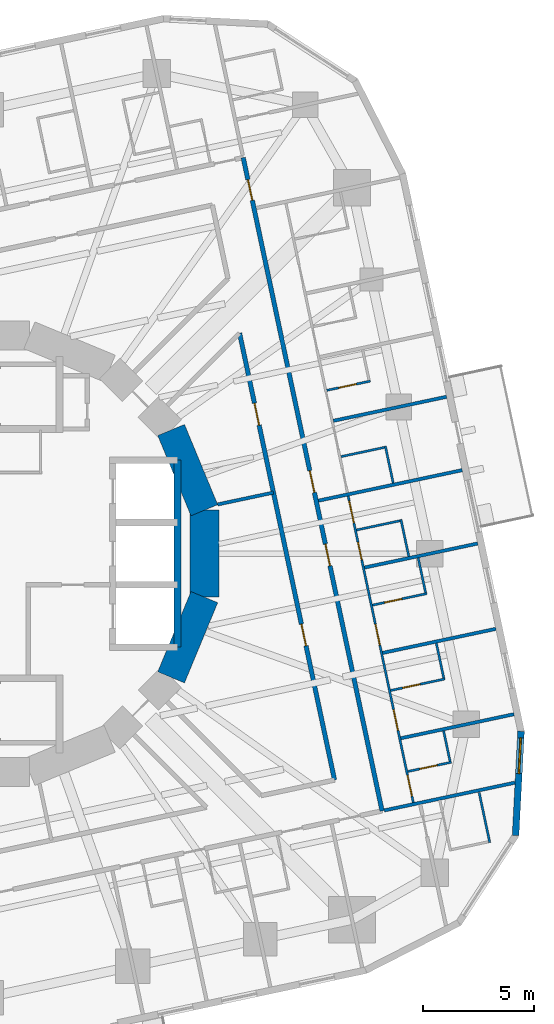
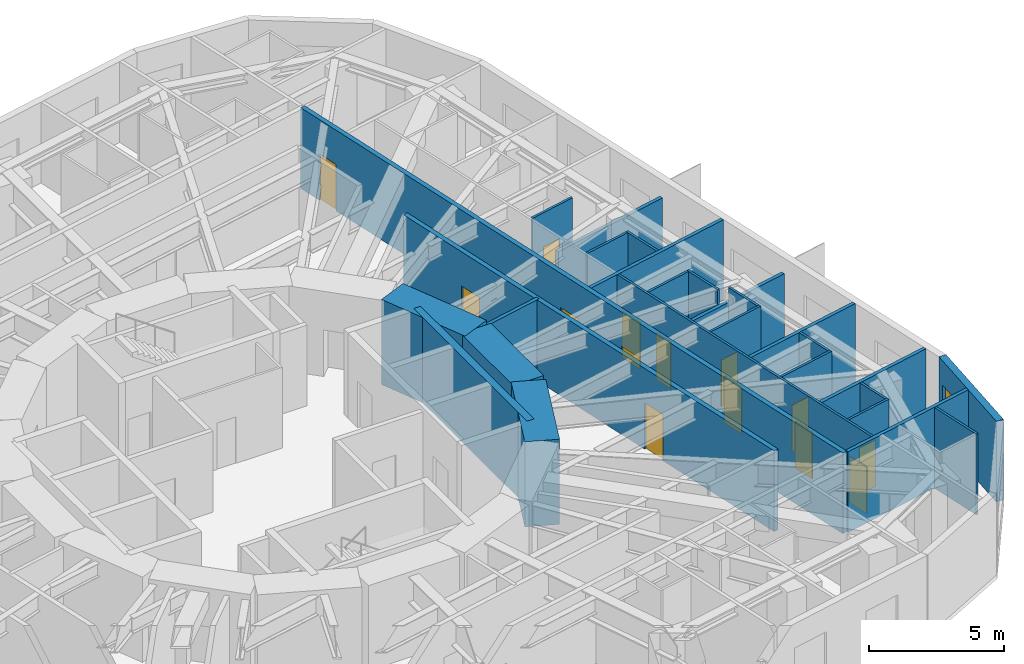
# One storey, part 8 of 13: 27 walls, 14 doors, 1 window, 15 openings.
"""IFC4 building model written with IfcOpenShell, lengths in metres."""

from ifc_helpers import new_model, si_unit, direction, frame, frame_2d, origin, place, context, subcontext, project, spatial, rectangle, extrude, material, layer, layer_set, type_object, element, fill, save


model = new_model("IFC4")

# Units and contexts
model_context = context("Model", 3, precision=1e-05, world=origin(), true_north=direction((0.0, 1.0)))
body_context = subcontext(model_context, "Body", "Model", "MODEL_VIEW")
ifc_project = project(units=[si_unit("LENGTHUNIT", "METRE"), si_unit("AREAUNIT", "SQUARE_METRE"), si_unit("VOLUMEUNIT", "CUBIC_METRE"), si_unit("PLANEANGLEUNIT", "RADIAN"), si_unit("MASSUNIT", "GRAM", prefix="KILO")], contexts=[model_context])

# Site, building, storey
site_placement = place(None, origin())
site = spatial("IfcSite", under=ifc_project, at=site_placement, CompositionType="ELEMENT")
building_placement = place(site_placement, origin())
building = spatial("IfcBuilding", under=site, at=building_placement, Name="Nakasero Lantern House", CompositionType="ELEMENT")
storey_placement = place(building_placement, frame((0.0, 0.0, 131.949951171875)))
storey = spatial("IfcBuildingStorey", under=building, at=storey_placement, Name="L32", CompositionType="ELEMENT", Elevation=131.949951171875)

# Wall, openings, doors
ifc_material_1 = material(Name="Blockwork", Category="masonry")
ifc_layer_1 = layer(ifc_material_1, 0.10009765625)
ifc_layer_set_1 = layer_set([ifc_layer_1], Name="Cluster hall wall 100")
wall_type_1 = type_object("IfcWallType", Name="Cluster hall wall 100", PredefinedType="PARTITIONING", material=ifc_layer_set_1)
wall_1_placement = place(storey_placement, frame((19.193603515625, -11.1787109375, 0.0), z_axis=(0.0, 0.0, 1.0), x_axis=(-0.207904606415, 0.978149106543, 0.0)))
wall_1 = element("IfcWall", 1, at=wall_1_placement, inside=storey, type_object=wall_type_1, Name="Cluster hall wall L32 HW0-0", PredefinedType="PARTITIONING", context=body_context, shape_type="SweptSolid", body=[
    extrude(rectangle(XDim=14.073974609375, YDim=0.10009765625, at=frame_2d((7.037109375, 0.0))), origin(), (0.0, 0.0, 1.0), 3.650146484375),
])
opening_1_placement = place(wall_1_placement, frame((12.848876953125, 0.0, 0.0)))
opening_1 = element("IfcOpeningElement", 2, at=opening_1_placement, cuts=wall_1, Name="Opening D03", PredefinedType="OPENING", context=body_context, shape_type="SweptSolid", body=[
    extrude(rectangle(XDim=1.0, YDim=2.10009765625, at=frame_2d((0.5, 1.050048828125))), frame((0.0, 0.070068359375, 0.0), z_axis=(0.0, -1.0, 0.0), x_axis=(1.0, 0.0, 0.0)), (0.0, 0.0, 1.0), 0.14013671875),
])
opening_2_placement = place(wall_1_placement, frame((11.155029296875, 0.0, 0.0)))
opening_2 = element("IfcOpeningElement", 3, at=opening_2_placement, cuts=wall_1, Name="Opening D02", PredefinedType="OPENING", context=body_context, shape_type="SweptSolid", body=[
    extrude(rectangle(XDim=0.800048828125, YDim=2.10009765625, at=frame_2d((0.39990234375, 1.050048828125))), frame((0.0, 0.070068359375, 0.0), z_axis=(0.0, -1.0, 0.0), x_axis=(1.0, 0.0, 0.0)), (0.0, 0.0, 1.0), 0.14013671875),
])
opening_3_placement = place(wall_1_placement, frame((0.300048828125, 0.0, 0.0)))
opening_3 = element("IfcOpeningElement", 4, at=opening_3_placement, cuts=wall_1, Name="Opening D01", PredefinedType="OPENING", context=body_context, shape_type="SweptSolid", body=[
    extrude(rectangle(XDim=0.949951171875, YDim=2.10009765625, at=frame_2d((0.47509765625, 1.050048828125))), frame((0.0, 0.070068359375, 0.0), z_axis=(0.0, -1.0, 0.0), x_axis=(1.0, 0.0, 0.0)), (0.0, 0.0, 1.0), 0.14013671875),
])
opening_4_placement = place(wall_1_placement, frame((3.316162109375, 0.0, 0.0)))
opening_4 = element("IfcOpeningElement", 5, at=opening_4_placement, cuts=wall_1, Name="Opening D01", PredefinedType="OPENING", context=body_context, shape_type="SweptSolid", body=[
    extrude(rectangle(XDim=0.949951171875, YDim=2.10009765625, at=frame_2d((0.47509765625, 1.050048828125))), frame((0.0, 0.070068359375, 0.0), z_axis=(0.0, -1.0, 0.0), x_axis=(1.0, 0.0, 0.0)), (0.0, 0.0, 1.0), 0.14013671875),
])
opening_5_placement = place(wall_1_placement, frame((7.235595703125, 0.0, 0.0)))
opening_5 = element("IfcOpeningElement", 6, at=opening_5_placement, cuts=wall_1, Name="Opening D01", PredefinedType="OPENING", context=body_context, shape_type="SweptSolid", body=[
    extrude(rectangle(XDim=0.949951171875, YDim=2.10009765625, at=frame_2d((0.47509765625, 1.050048828125))), frame((0.0, 0.070068359375, 0.0), z_axis=(0.0, -1.0, 0.0), x_axis=(1.0, 0.0, 0.0)), (0.0, 0.0, 1.0), 0.14013671875),
])
ifc_material_2 = material(Name="Timber C24", Category="wood")
door_type_1 = type_object("IfcDoorType", Name="Bedroom door FD30S 950", OperationType="SINGLE_SWING_LEFT", PredefinedType="DOOR", material=ifc_material_2)
door_1_placement = place(opening_3_placement, origin())
door_1 = element("IfcDoor", 7, at=door_1_placement, inside=storey, type_object=door_type_1, Name="Door L32 D0-00", OperationType="SINGLE_SWING_LEFT", OverallHeight=2.10009765625, OverallWidth=0.949951171875, PredefinedType="DOOR", context=body_context, shape_type="SweptSolid", body=[
    extrude(rectangle(XDim=0.949951171875, YDim=2.10009765625, at=frame_2d((0.47509765625, 1.050048828125))), frame((0.0, 0.02490234375, 0.0), z_axis=(0.0, -1.0, 0.0), x_axis=(1.0, 0.0, 0.0)), (0.0, 0.0, 1.0), 0.050048828125),
])
fill(opening_3, door_1)
door_2_placement = place(opening_4_placement, origin())
door_2 = element("IfcDoor", 8, at=door_2_placement, inside=storey, type_object=door_type_1, Name="Door L32 D0-01", OperationType="SINGLE_SWING_LEFT", OverallHeight=2.10009765625, OverallWidth=0.949951171875, PredefinedType="DOOR", context=body_context, shape_type="SweptSolid", body=[
    extrude(rectangle(XDim=0.949951171875, YDim=2.10009765625, at=frame_2d((0.47509765625, 1.050048828125))), frame((0.0, 0.02490234375, 0.0), z_axis=(0.0, -1.0, 0.0), x_axis=(1.0, 0.0, 0.0)), (0.0, 0.0, 1.0), 0.050048828125),
])
fill(opening_4, door_2)
door_3_placement = place(opening_5_placement, origin())
door_3 = element("IfcDoor", 9, at=door_3_placement, inside=storey, type_object=door_type_1, Name="Door L32 D0-02", OperationType="SINGLE_SWING_RIGHT", OverallHeight=2.10009765625, OverallWidth=0.949951171875, PredefinedType="DOOR", context=body_context, shape_type="SweptSolid", body=[
    extrude(rectangle(XDim=0.949951171875, YDim=2.10009765625, at=frame_2d((0.47509765625, 1.050048828125))), frame((0.0, 0.02490234375, 0.0), z_axis=(0.0, -1.0, 0.0), x_axis=(1.0, 0.0, 0.0)), (0.0, 0.0, 1.0), 0.050048828125),
])
fill(opening_5, door_3)
ifc_material_3 = material(Name="Timber C24", Category="wood")
door_type_2 = type_object("IfcDoorType", Name="En-suite door 800", OperationType="SINGLE_SWING_RIGHT", PredefinedType="DOOR", material=ifc_material_3)
door_4_placement = place(opening_2_placement, origin())
door_4 = element("IfcDoor", 10, at=door_4_placement, inside=storey, type_object=door_type_2, Name="Door L32 DSH0-0", OperationType="SINGLE_SWING_RIGHT", OverallHeight=2.10009765625, OverallWidth=0.800048828125, PredefinedType="DOOR", context=body_context, shape_type="SweptSolid", body=[
    extrude(rectangle(XDim=0.800048828125, YDim=2.10009765625, at=frame_2d((0.39990234375, 1.050048828125))), frame((0.0, 0.02490234375, 0.0), z_axis=(0.0, -1.0, 0.0), x_axis=(1.0, 0.0, 0.0)), (0.0, 0.0, 1.0), 0.050048828125),
])
fill(opening_2, door_4)
ifc_material_4 = material(Name="Timber C24", Category="wood")
door_type_3 = type_object("IfcDoorType", Name="Lounge door FD30S 1000", OperationType="SINGLE_SWING_LEFT", PredefinedType="DOOR", material=ifc_material_4)
door_5_placement = place(opening_1_placement, origin())
door_5 = element("IfcDoor", 11, at=door_5_placement, inside=storey, type_object=door_type_3, Name="Door L32 DH0-0", OperationType="SINGLE_SWING_RIGHT", OverallHeight=2.10009765625, OverallWidth=1.0, PredefinedType="DOOR", context=body_context, shape_type="SweptSolid", body=[
    extrude(rectangle(XDim=1.0, YDim=2.10009765625, at=frame_2d((0.5, 1.050048828125))), frame((0.0, 0.02490234375, 0.0), z_axis=(0.0, -1.0, 0.0), x_axis=(1.0, 0.0, 0.0)), (0.0, 0.0, 1.0), 0.050048828125),
])
fill(opening_1, door_5)

# Walls
ifc_material_5 = material(Name="Concrete C50/60", Category="concrete")
ifc_layer_2 = layer(ifc_material_5, 0.300048828125)
ifc_layer_set_2 = layer_set([ifc_layer_2], Name="Core inner wall 300")
wall_type_2 = type_object("IfcWallType", Name="Core inner wall 300", PredefinedType="SHEAR", material=ifc_layer_set_2)
wall_2_placement = place(storey_placement, frame((8.60009765625, -4.199951171875, 0.0), z_axis=(0.0, 0.0, 1.0), x_axis=(0.0, 1.0, 0.0)))
element("IfcWall", 12, at=wall_2_placement, inside=storey, type_object=wall_type_2, Name="Core inner wall L32 LEB", PredefinedType="SHEAR", context=body_context, shape_type="SweptSolid", body=[
    extrude(rectangle(XDim=8.39990234375, YDim=0.300048828125, at=frame_2d((4.199951171875, 0.0))), origin(), (0.0, 0.0, 1.0), 3.85009765625),
])
ifc_material_6 = material(Name="Concrete C50/60", Category="concrete")
ifc_layer_3 = layer(ifc_material_6, 1.300048828125)
ifc_layer_set_3 = layer_set([ifc_layer_3], Name="Core wall 1300")
wall_type_3 = type_object("IfcWallType", Name="Core wall 1300", PredefinedType="SHEAR", material=ifc_layer_set_3)
for number, where, z_axis, x_axis, name in (
    (13, (9.807861328125, 1.950927734375, 0.0), (0.0, 0.0, 1.0), (-0.382690736062, 0.923876507187, 0.0), "Core wall L32 facet 1"),
    (14, (8.314697265625, -5.5556640625, 0.0), (0.0, 0.0, 1.0), (0.382690736062, 0.923876507187, 0.0), "Core wall L32 facet 15"),
    (15, (9.807861328125, -1.950927734375, 0.0), (0.0, 0.0, 1.0), (0.0, 1.0, 0.0), "Core wall L32 facet 16"),
):
    element("IfcWall", number, at=place(storey_placement, frame(where, z_axis=z_axis, x_axis=x_axis)), inside=storey, type_object=wall_type_3, Name=name, PredefinedType="SHEAR", context=body_context, shape_type="SweptSolid", body=[
        extrude(rectangle(XDim=3.90185546875, YDim=1.300048828125, at=frame_2d((1.950927734375, 0.0))), origin(), (0.0, 0.0, 1.0), 3.85009765625),
    ])

# Wall, openings, doors
ifc_material_7 = material(Name="Blockwork", Category="masonry")
ifc_layer_4 = layer(ifc_material_7, 0.199951171875)
ifc_layer_set_4 = layer_set([ifc_layer_4], Name="Corridor wall 200")
wall_type_4 = type_object("IfcWallType", Name="Corridor wall 200", PredefinedType="PARTITIONING", material=ifc_layer_set_4)
wall_3_placement = place(storey_placement, frame((17.790771484375, -11.553466796875, 0.0), z_axis=(0.0, 0.0, 1.0), x_axis=(-0.207911508826, 0.978147639417, 0.0)))
wall_3 = element("IfcWall", 16, at=wall_3_placement, inside=storey, type_object=wall_type_4, Name="Corridor wall L32 CW0", PredefinedType="PARTITIONING", context=body_context, shape_type="SweptSolid", body=[
    extrude(rectangle(XDim=29.999755859375, YDim=0.199951171875, at=frame_2d((15.0, 0.0))), origin(), (0.0, 0.0, 1.0), 3.650146484375),
])
opening_6_placement = place(wall_3_placement, frame((11.255126953125, 0.0, 0.0)))
opening_6 = element("IfcOpeningElement", 17, at=opening_6_placement, cuts=wall_3, Name="Opening D14", PredefinedType="OPENING", context=body_context, shape_type="SweptSolid", body=[
    extrude(rectangle(XDim=1.0, YDim=2.10009765625, at=frame_2d((0.5, 1.050048828125))), frame((0.0, 0.119873046875, 0.0), z_axis=(0.0, -1.0, 0.0), x_axis=(1.0, 0.0, 0.0)), (0.0, 0.0, 1.0), 0.239990234375),
])
opening_7_placement = place(wall_3_placement, frame((14.623779296875, 0.0, 0.0)))
opening_7 = element("IfcOpeningElement", 18, at=opening_7_placement, cuts=wall_3, Name="Opening D14", PredefinedType="OPENING", context=body_context, shape_type="SweptSolid", body=[
    extrude(rectangle(XDim=1.0, YDim=2.10009765625, at=frame_2d((0.5, 1.050048828125))), frame((0.0, 0.119873046875, 0.0), z_axis=(0.0, -1.0, 0.0), x_axis=(1.0, 0.0, 0.0)), (0.0, 0.0, 1.0), 0.239990234375),
])
opening_8_placement = place(wall_3_placement, frame((28.038330078125, 0.0, 0.0)))
opening_8 = element("IfcOpeningElement", 19, at=opening_8_placement, cuts=wall_3, Name="Opening D01", PredefinedType="OPENING", context=body_context, shape_type="SweptSolid", body=[
    extrude(rectangle(XDim=0.949951171875, YDim=2.10009765625, at=frame_2d((0.47509765625, 1.050048828125))), frame((0.0, 0.119873046875, 0.0), z_axis=(0.0, -1.0, 0.0), x_axis=(1.0, 0.0, 0.0)), (0.0, 0.0, 1.0), 0.239990234375),
])
door_6_placement = place(opening_8_placement, origin())
door_6 = element("IfcDoor", 20, at=door_6_placement, inside=storey, type_object=door_type_1, Name="Door L32 D0-08", OperationType="SINGLE_SWING_RIGHT", OverallHeight=2.10009765625, OverallWidth=0.949951171875, PredefinedType="DOOR", context=body_context, shape_type="SweptSolid", body=[
    extrude(rectangle(XDim=0.949951171875, YDim=2.10009765625, at=frame_2d((0.47509765625, 1.050048828125))), frame((0.0, 0.02490234375, 0.0), z_axis=(0.0, -1.0, 0.0), x_axis=(1.0, 0.0, 0.0)), (0.0, 0.0, 1.0), 0.050048828125),
])
fill(opening_8, door_6)
ifc_material_8 = material(Name="Timber C24", Category="wood")
door_type_4 = type_object("IfcDoorType", Name="Cluster entrance door FD30S 1000", OperationType="SINGLE_SWING_LEFT", PredefinedType="DOOR", material=ifc_material_8)
door_7_placement = place(opening_6_placement, origin())
door_7 = element("IfcDoor", 21, at=door_7_placement, inside=storey, type_object=door_type_4, Name="Door L32 DF0-0", OperationType="SINGLE_SWING_LEFT", OverallHeight=2.10009765625, OverallWidth=1.0, PredefinedType="DOOR", context=body_context, shape_type="SweptSolid", body=[
    extrude(rectangle(XDim=1.0, YDim=2.10009765625, at=frame_2d((0.5, 1.050048828125))), frame((0.0, 0.02490234375, 0.0), z_axis=(0.0, -1.0, 0.0), x_axis=(1.0, 0.0, 0.0)), (0.0, 0.0, 1.0), 0.050048828125),
])
fill(opening_6, door_7)
door_8_placement = place(opening_7_placement, origin())
door_8 = element("IfcDoor", 22, at=door_8_placement, inside=storey, type_object=door_type_4, Name="Door L32 DF0-1", OperationType="SINGLE_SWING_RIGHT", OverallHeight=2.10009765625, OverallWidth=1.0, PredefinedType="DOOR", context=body_context, shape_type="SweptSolid", body=[
    extrude(rectangle(XDim=1.0, YDim=2.10009765625, at=frame_2d((0.5, 1.050048828125))), frame((0.0, 0.02490234375, 0.0), z_axis=(0.0, -1.0, 0.0), x_axis=(1.0, 0.0, 0.0)), (0.0, 0.0, 1.0), 0.050048828125),
])
fill(opening_7, door_8)

wall_4_placement = place(storey_placement, frame((15.656005859375, -10.1669921875, 0.0), z_axis=(0.0, 0.0, 1.0), x_axis=(-0.207910266073, 0.978147903572, 0.0)))
wall_4 = element("IfcWall", 23, at=wall_4_placement, inside=storey, type_object=wall_type_4, Name="Corridor wall L32 IW0-0", PredefinedType="PARTITIONING", context=body_context, shape_type="SweptSolid", body=[
    extrude(rectangle(XDim=20.520263671875, YDim=0.199951171875, at=frame_2d((10.26025390625, 0.0))), origin(), (0.0, 0.0, 1.0), 3.650146484375),
])
opening_9_placement = place(wall_4_placement, frame((6.16259765625, 0.0, 0.0)))
opening_9 = element("IfcOpeningElement", 24, at=opening_9_placement, cuts=wall_4, Name="Opening D07", PredefinedType="OPENING", context=body_context, shape_type="SweptSolid", body=[
    extrude(rectangle(XDim=1.0, YDim=2.10009765625, at=frame_2d((0.5, 1.050048828125))), frame((0.0, 0.119873046875, 0.0), z_axis=(0.0, -1.0, 0.0), x_axis=(1.0, 0.0, 0.0)), (0.0, 0.0, 1.0), 0.239990234375),
])
opening_10_placement = place(wall_4_placement, frame((16.297607421875, 0.0, 0.0)))
opening_10 = element("IfcOpeningElement", 25, at=opening_10_placement, cuts=wall_4, Name="Opening D07", PredefinedType="OPENING", context=body_context, shape_type="SweptSolid", body=[
    extrude(rectangle(XDim=1.0, YDim=2.10009765625, at=frame_2d((0.5, 1.050048828125))), frame((0.0, 0.119873046875, 0.0), z_axis=(0.0, -1.0, 0.0), x_axis=(1.0, 0.0, 0.0)), (0.0, 0.0, 1.0), 0.239990234375),
])
ifc_material_9 = material(Name="Timber C24", Category="wood")
door_type_5 = type_object("IfcDoorType", Name="Room door FD30S 1000", OperationType="SINGLE_SWING_LEFT", PredefinedType="DOOR", material=ifc_material_9)
door_9_placement = place(opening_9_placement, origin())
door_9 = element("IfcDoor", 26, at=door_9_placement, inside=storey, type_object=door_type_5, Name="Door L32 DI2", OperationType="SINGLE_SWING_LEFT", OverallHeight=2.10009765625, OverallWidth=1.0, PredefinedType="DOOR", context=body_context, shape_type="SweptSolid", body=[
    extrude(rectangle(XDim=1.0, YDim=2.10009765625, at=frame_2d((0.5, 1.050048828125))), frame((0.0, 0.02490234375, 0.0), z_axis=(0.0, -1.0, 0.0), x_axis=(1.0, 0.0, 0.0)), (0.0, 0.0, 1.0), 0.050048828125),
])
fill(opening_9, door_9)
door_10_placement = place(opening_10_placement, origin())
door_10 = element("IfcDoor", 27, at=door_10_placement, inside=storey, type_object=door_type_5, Name="Door L32 DI3", OperationType="SINGLE_SWING_RIGHT", OverallHeight=2.10009765625, OverallWidth=1.0, PredefinedType="DOOR", context=body_context, shape_type="SweptSolid", body=[
    extrude(rectangle(XDim=1.0, YDim=2.10009765625, at=frame_2d((0.5, 1.050048828125))), frame((0.0, 0.02490234375, 0.0), z_axis=(0.0, -1.0, 0.0), x_axis=(1.0, 0.0, 0.0)), (0.0, 0.0, 1.0), 0.050048828125),
])
fill(opening_10, door_10)

# Walls
ifc_material_10 = material(Name="Blockwork", Category="masonry")
ifc_layer_5 = layer(ifc_material_10, 0.10009765625)
ifc_layer_set_5 = layer_set([ifc_layer_5], Name="En-suite wall 100")
wall_type_5 = type_object("IfcWallType", Name="En-suite wall 100", PredefinedType="PARTITIONING", material=ifc_layer_set_5)
wall_5_placement = place(storey_placement, frame((16.642578125, 1.0634765625, 0.0), z_axis=(0.0, 0.0, 1.0), x_axis=(0.978134617382, 0.207972763311, 0.0)))
element("IfcWall", 28, at=wall_5_placement, inside=storey, type_object=wall_type_5, Name="En-suite wall L32 SS0-0", PredefinedType="PARTITIONING", context=body_context, shape_type="SweptSolid", body=[
    extrude(rectangle(XDim=2.10009765625, YDim=0.10009765625, at=frame_2d((1.050048828125, 0.0))), origin(), (0.0, 0.0, 1.0), 3.650146484375),
])
wall_6_placement = place(storey_placement, frame((18.99072265625, -0.124267578125, 0.0), z_axis=(0.0, 0.0, 1.0), x_axis=(-0.207812379357, 0.978168704767, 0.0)))
element("IfcWall", 29, at=wall_6_placement, inside=storey, type_object=wall_type_5, Name="En-suite wall L32 SE0-0", PredefinedType="PARTITIONING", context=body_context, shape_type="SweptSolid", body=[
    extrude(rectangle(XDim=1.699951171875, YDim=0.10009765625, at=frame_2d((0.85009765625, 0.0))), origin(), (0.0, 0.0, 1.0), 3.650146484375),
])
wall_7_placement = place(storey_placement, frame((15.942138671875, 4.358642578125, 0.0), z_axis=(0.0, 0.0, 1.0), x_axis=(0.97815826, 0.207861536591, 0.0)))
element("IfcWall", 30, at=wall_7_placement, inside=storey, type_object=wall_type_5, Name="En-suite wall L32 SS0-1", PredefinedType="PARTITIONING", context=body_context, shape_type="SweptSolid", body=[
    extrude(rectangle(XDim=2.10009765625, YDim=0.10009765625, at=frame_2d((1.050048828125, 0.0))), origin(), (0.0, 0.0, 1.0), 3.650146484375),
])
wall_8_placement = place(storey_placement, frame((18.29052734375, 3.1708984375, 0.0), z_axis=(0.0, 0.0, 1.0), x_axis=(-0.207949787024, 0.97813950236, 0.0)))
element("IfcWall", 31, at=wall_8_placement, inside=storey, type_object=wall_type_5, Name="En-suite wall L32 SE0-1", PredefinedType="PARTITIONING", context=body_context, shape_type="SweptSolid", body=[
    extrude(rectangle(XDim=1.699951171875, YDim=0.10009765625, at=frame_2d((0.85009765625, 0.0))), origin(), (0.0, 0.0, 1.0), 3.650146484375),
])

# Wall, opening, door
wall_9_placement = place(storey_placement, frame((18.947998046875, -9.783203125, 0.0), z_axis=(0.0, 0.0, 1.0), x_axis=(0.978128127149, 0.208003285743, 0.0)))
wall_9 = element("IfcWall", 32, at=wall_9_placement, inside=storey, type_object=wall_type_5, Name="En-suite wall L32 ES0-00", PredefinedType="PARTITIONING", context=body_context, shape_type="SweptSolid", body=[
    extrude(rectangle(XDim=2.0, YDim=0.10009765625, at=frame_2d((1.0, 0.0))), origin(), (0.0, 0.0, 1.0), 3.650146484375),
])
opening_11_placement = place(wall_9_placement, frame((0.550048828125, 0.0, 0.0)))
opening_11 = element("IfcOpeningElement", 33, at=opening_11_placement, cuts=wall_9, Name="Opening D02", PredefinedType="OPENING", context=body_context, shape_type="SweptSolid", body=[
    extrude(rectangle(XDim=0.800048828125, YDim=2.10009765625, at=frame_2d((0.39990234375, 1.050048828125))), frame((0.0, 0.070068359375, 0.0), z_axis=(0.0, -1.0, 0.0), x_axis=(1.0, 0.0, 0.0)), (0.0, 0.0, 1.0), 0.14013671875),
])
door_11_placement = place(opening_11_placement, origin())
door_11 = element("IfcDoor", 34, at=door_11_placement, inside=storey, type_object=door_type_2, Name="Door L32 DE0-00", OperationType="SINGLE_SWING_LEFT", OverallHeight=2.10009765625, OverallWidth=0.800048828125, PredefinedType="DOOR", context=body_context, shape_type="SweptSolid", body=[
    extrude(rectangle(XDim=0.800048828125, YDim=2.10009765625, at=frame_2d((0.39990234375, 1.050048828125))), frame((0.0, 0.02490234375, 0.0), z_axis=(0.0, -1.0, 0.0), x_axis=(1.0, 0.0, 0.0)), (0.0, 0.0, 1.0), 0.050048828125),
])
fill(opening_11, door_11)

# Wall
wall_10_placement = place(storey_placement, frame((20.844970703125, -9.328857421875, 0.0), z_axis=(0.0, 0.0, 1.0), x_axis=(-0.207873355681, 0.978155748334, 0.0)))
element("IfcWall", 35, at=wall_10_placement, inside=storey, type_object=wall_type_5, Name="En-suite wall L32 EE0-00", PredefinedType="PARTITIONING", context=body_context, shape_type="SweptSolid", body=[
    extrude(rectangle(XDim=1.39990234375, YDim=0.10009765625, at=frame_2d((0.699951171875, 0.0))), origin(), (0.0, 0.0, 1.0), 3.650146484375),
])

# Wall, opening, door
wall_11_placement = place(storey_placement, frame((18.1748046875, -6.14501953125, 0.0), z_axis=(0.0, 0.0, 1.0), x_axis=(0.978127070851, 0.208008252887, 0.0)))
wall_11 = element("IfcWall", 36, at=wall_11_placement, inside=storey, type_object=wall_type_5, Name="En-suite wall L32 ES0-01", PredefinedType="PARTITIONING", context=body_context, shape_type="SweptSolid", body=[
    extrude(rectangle(XDim=2.5, YDim=0.10009765625, at=frame_2d((1.25, 0.0))), origin(), (0.0, 0.0, 1.0), 3.650146484375),
])
opening_12_placement = place(wall_11_placement, frame((0.550048828125, 0.0, 0.0)))
opening_12 = element("IfcOpeningElement", 37, at=opening_12_placement, cuts=wall_11, Name="Opening D02", PredefinedType="OPENING", context=body_context, shape_type="SweptSolid", body=[
    extrude(rectangle(XDim=0.800048828125, YDim=2.10009765625, at=frame_2d((0.39990234375, 1.050048828125))), frame((0.0, 0.070068359375, 0.0), z_axis=(0.0, -1.0, 0.0), x_axis=(1.0, 0.0, 0.0)), (0.0, 0.0, 1.0), 0.14013671875),
])
door_12_placement = place(opening_12_placement, origin())
door_12 = element("IfcDoor", 38, at=door_12_placement, inside=storey, type_object=door_type_2, Name="Door L32 DE0-01", OperationType="SINGLE_SWING_LEFT", OverallHeight=2.10009765625, OverallWidth=0.800048828125, PredefinedType="DOOR", context=body_context, shape_type="SweptSolid", body=[
    extrude(rectangle(XDim=0.800048828125, YDim=2.10009765625, at=frame_2d((0.39990234375, 1.050048828125))), frame((0.0, 0.02490234375, 0.0), z_axis=(0.0, -1.0, 0.0), x_axis=(1.0, 0.0, 0.0)), (0.0, 0.0, 1.0), 0.050048828125),
])
fill(opening_12, door_12)

# Wall
wall_12_placement = place(storey_placement, frame((20.560791015625, -5.586669921875, 0.0), z_axis=(0.0, 0.0, 1.0), x_axis=(-0.207809485755, 0.97816931951, 0.0)))
element("IfcWall", 39, at=wall_12_placement, inside=storey, type_object=wall_type_5, Name="En-suite wall L32 EE0-01", PredefinedType="PARTITIONING", context=body_context, shape_type="SweptSolid", body=[
    extrude(rectangle(XDim=1.60009765625, YDim=0.10009765625, at=frame_2d((0.800048828125, 0.0))), origin(), (0.0, 0.0, 1.0), 3.650146484375),
])

# Wall, opening, door
wall_13_placement = place(storey_placement, frame((17.35986328125, -2.31103515625, 0.0), z_axis=(0.0, 0.0, 1.0), x_axis=(0.978146935828, 0.207914818928, 0.0)))
wall_13 = element("IfcWall", 40, at=wall_13_placement, inside=storey, type_object=wall_type_5, Name="En-suite wall L32 ES0-02", PredefinedType="PARTITIONING", context=body_context, shape_type="SweptSolid", body=[
    extrude(rectangle(XDim=2.5, YDim=0.10009765625, at=frame_2d((1.25, 0.0))), origin(), (0.0, 0.0, 1.0), 3.650146484375),
])
opening_13_placement = place(wall_13_placement, frame((0.550048828125, 0.0, 0.0)))
opening_13 = element("IfcOpeningElement", 41, at=opening_13_placement, cuts=wall_13, Name="Opening D02", PredefinedType="OPENING", context=body_context, shape_type="SweptSolid", body=[
    extrude(rectangle(XDim=0.800048828125, YDim=2.10009765625, at=frame_2d((0.39990234375, 1.050048828125))), frame((0.0, 0.070068359375, 0.0), z_axis=(0.0, -1.0, 0.0), x_axis=(1.0, 0.0, 0.0)), (0.0, 0.0, 1.0), 0.14013671875),
])
door_13_placement = place(opening_13_placement, origin())
door_13 = element("IfcDoor", 42, at=door_13_placement, inside=storey, type_object=door_type_2, Name="Door L32 DE0-02", OperationType="SINGLE_SWING_LEFT", OverallHeight=2.10009765625, OverallWidth=0.800048828125, PredefinedType="DOOR", context=body_context, shape_type="SweptSolid", body=[
    extrude(rectangle(XDim=0.800048828125, YDim=2.10009765625, at=frame_2d((0.39990234375, 1.050048828125))), frame((0.0, 0.02490234375, 0.0), z_axis=(0.0, -1.0, 0.0), x_axis=(1.0, 0.0, 0.0)), (0.0, 0.0, 1.0), 0.050048828125),
])
fill(opening_13, door_13)

# Wall
wall_14_placement = place(storey_placement, frame((19.745849609375, -1.752685546875, 0.0), z_axis=(0.0, 0.0, 1.0), x_axis=(-0.207840504985, 0.978162729042, 0.0)))
element("IfcWall", 43, at=wall_14_placement, inside=storey, type_object=wall_type_5, Name="En-suite wall L32 EE0-02", PredefinedType="PARTITIONING", context=body_context, shape_type="SweptSolid", body=[
    extrude(rectangle(XDim=1.599853515625, YDim=0.10009765625, at=frame_2d((0.7998046875, 0.0))), origin(), (0.0, 0.0, 1.0), 3.650146484375),
])

# Wall, opening, door
wall_15_placement = place(storey_placement, frame((15.30908203125, 7.337158203125, 0.0), z_axis=(0.0, 0.0, 1.0), x_axis=(0.978152955943, 0.207886494942, 0.0)))
wall_15 = element("IfcWall", 44, at=wall_15_placement, inside=storey, type_object=wall_type_5, Name="En-suite wall L32 ES0-05", PredefinedType="PARTITIONING", context=body_context, shape_type="SweptSolid", body=[
    extrude(rectangle(XDim=2.0, YDim=0.10009765625, at=frame_2d((1.0, 0.0))), origin(), (0.0, 0.0, 1.0), 3.650146484375),
])
opening_14_placement = place(wall_15_placement, frame((0.550048828125, 0.0, 0.0)))
opening_14 = element("IfcOpeningElement", 45, at=opening_14_placement, cuts=wall_15, Name="Opening D02", PredefinedType="OPENING", context=body_context, shape_type="SweptSolid", body=[
    extrude(rectangle(XDim=0.800048828125, YDim=2.10009765625, at=frame_2d((0.39990234375, 1.050048828125))), frame((0.0, 0.070068359375, 0.0), z_axis=(0.0, -1.0, 0.0), x_axis=(1.0, 0.0, 0.0)), (0.0, 0.0, 1.0), 0.14013671875),
])
door_14_placement = place(opening_14_placement, origin())
door_14 = element("IfcDoor", 46, at=door_14_placement, inside=storey, type_object=door_type_2, Name="Door L32 DE0-05", OperationType="SINGLE_SWING_LEFT", OverallHeight=2.10009765625, OverallWidth=0.800048828125, PredefinedType="DOOR", context=body_context, shape_type="SweptSolid", body=[
    extrude(rectangle(XDim=0.800048828125, YDim=2.10009765625, at=frame_2d((0.39990234375, 1.050048828125))), frame((0.0, 0.02490234375, 0.0), z_axis=(0.0, -1.0, 0.0), x_axis=(1.0, 0.0, 0.0)), (0.0, 0.0, 1.0), 0.050048828125),
])
fill(opening_14, door_14)

# Wall
wall_16_placement = place(storey_placement, frame((22.150634765625, -10.72900390625, 0.0), z_axis=(0.0, 0.0, 1.0), x_axis=(0.207839712757, -0.978162897375, 0.0)))
element("IfcWall", 47, at=wall_16_placement, inside=storey, type_object=wall_type_5, Name="En-suite wall L32 EV3-08", PredefinedType="PARTITIONING", context=body_context, shape_type="SweptSolid", body=[
    extrude(rectangle(XDim=2.300048828125, YDim=0.10009765625, at=frame_2d((1.14990234375, 0.0))), origin(), (0.0, 0.0, 1.0), 3.650146484375),
])

# Wall, opening, window
ifc_material_11 = material(Name="Aluminium rainscreen on blockwork", Category="masonry")
ifc_layer_6 = layer(ifc_material_11, 0.300048828125)
ifc_layer_set_6 = layer_set([ifc_layer_6], Name="Facade wall 300")
wall_type_6 = type_object("IfcWallType", Name="Facade wall 300", PredefinedType="SOLIDWALL", material=ifc_layer_set_6)
wall_17_placement = place(storey_placement, frame((23.78857421875, -12.655517578125, 0.0), z_axis=(0.0, 0.0, 1.0), x_axis=(0.052326317, 0.998630039879, 0.0)))
wall_17 = element("IfcWall", 48, at=wall_17_placement, inside=storey, type_object=wall_type_6, Name="Facade wall L32 FW3C3", PredefinedType="SOLIDWALL", context=body_context, shape_type="SweptSolid", body=[
    extrude(rectangle(XDim=4.684326171875, YDim=0.300048828125, at=frame_2d((2.34228515625, 0.0))), origin(), (0.0, 0.0, 1.0), 3.650146484375),
])
opening_15_placement = place(wall_17_placement, frame((2.784912109375, 0.0, 0.75)))
opening_15 = element("IfcOpeningElement", 49, at=opening_15_placement, cuts=wall_17, Name="Opening W01", PredefinedType="OPENING", context=body_context, shape_type="SweptSolid", body=[
    extrude(rectangle(XDim=1.60009765625, YDim=1.800048828125, at=frame_2d((0.800048828125, 0.89990234375))), frame((0.0, 0.169921875, 0.0), z_axis=(0.0, -1.0, 0.0), x_axis=(1.0, 0.0, 0.0)), (0.0, 0.0, 1.0), 0.340087890625),
])
ifc_material_12 = material(Name="Aluminium 6063-T6 and glass", Category="aluminium")
window_type = type_object("IfcWindowType", Name="Bedroom window 1600x1800", PartitioningType="SINGLE_PANEL", PredefinedType="WINDOW", material=ifc_material_12)
window_placement = place(opening_15_placement, origin())
window = element("IfcWindow", 50, at=window_placement, inside=storey, type_object=window_type, Name="Window L32 WN0-00", OverallHeight=1.800048828125, OverallWidth=1.60009765625, PartitioningType="SINGLE_PANEL", PredefinedType="WINDOW", context=body_context, shape_type="SweptSolid", body=[
    extrude(rectangle(XDim=1.60009765625, YDim=1.800048828125, at=frame_2d((0.800048828125, 0.89990234375))), frame((0.0, 0.030029296875, 0.0), z_axis=(0.0, -1.0, 0.0), x_axis=(1.0, 0.0, 0.0)), (0.0, 0.0, 1.0), 0.06005859375),
])
fill(opening_15, window)

# Walls
ifc_material_13 = material(Name="Blockwork", Category="masonry")
ifc_layer_7 = layer(ifc_material_13, 0.14990234375)
ifc_layer_set_7 = layer_set([ifc_layer_7], Name="Party wall 150")
wall_type_7 = type_object("IfcWallType", Name="Party wall 150", PredefinedType="PARTITIONING", material=ifc_layer_set_7)
wall_18_placement = place(storey_placement, frame((17.888671875, -11.53271484375, 0.0), z_axis=(0.0, 0.0, 1.0), x_axis=(0.978152955943, 0.207886494942, 0.0)))
element("IfcWall", 51, at=wall_18_placement, inside=storey, type_object=wall_type_7, Name="Party wall L32 PW0-00", PredefinedType="PARTITIONING", context=body_context, shape_type="SweptSolid", body=[
    extrude(rectangle(XDim=6.0, YDim=0.14990234375, at=frame_2d((3.0, 0.0))), origin(), (0.0, 0.0, 1.0), 3.650146484375),
])
for number, where, z_axis, x_axis, name in (
    (52, (18.631103515625, -8.29150390625, 0.0), (0.0, 0.0, 1.0), (0.978139873931, 0.207948039247, 0.0), "Party wall L32 PW0-01"),
    (53, (17.816162109375, -4.45751953125, 0.0), (0.0, 0.0, 1.0), (0.978151452323, 0.207893569688, 0.0), "Party wall L32 PW0-02"),
):
    element("IfcWall", number, at=place(storey_placement, frame(where, z_axis=z_axis, x_axis=x_axis)), inside=storey, type_object=wall_type_7, Name=name, PredefinedType="PARTITIONING", context=body_context, shape_type="SweptSolid", body=[
        extrude(rectangle(XDim=5.199951171875, YDim=0.14990234375, at=frame_2d((2.60009765625, 0.0))), origin(), (0.0, 0.0, 1.0), 3.650146484375),
    ])
wall_19_placement = place(storey_placement, frame((17.001220703125, -0.623779296875, 0.0), z_axis=(0.0, 0.0, 1.0), x_axis=(0.978141904084, 0.207938489641, 0.0)))
element("IfcWall", 54, at=wall_19_placement, inside=storey, type_object=wall_type_7, Name="Party wall L32 PW0-03", PredefinedType="PARTITIONING", context=body_context, shape_type="SweptSolid", body=[
    extrude(rectangle(XDim=5.2001953125, YDim=0.14990234375, at=frame_2d((2.60009765625, 0.0))), origin(), (0.0, 0.0, 1.0), 2.966552734375),
])
wall_20_placement = place(storey_placement, frame((14.931396484375, 2.38037109375, 0.0), z_axis=(0.0, 0.0, 1.0), x_axis=(0.97815236361, 0.207889281984, 0.0)))
element("IfcWall", 55, at=wall_20_placement, inside=storey, type_object=wall_type_7, Name="Party wall L32 PW0-04", PredefinedType="PARTITIONING", context=body_context, shape_type="SweptSolid", body=[
    extrude(rectangle(XDim=6.60009765625, YDim=0.14990234375, at=frame_2d((3.300048828125, 0.0))), origin(), (0.0, 0.0, 1.0), 3.650146484375),
])
wall_21_placement = place(storey_placement, frame((15.600341796875, 5.966552734375, 0.0), z_axis=(0.0, 0.0, 1.0), x_axis=(0.978151452323, 0.207893569688, 0.0)))
element("IfcWall", 56, at=wall_21_placement, inside=storey, type_object=wall_type_7, Name="Party wall L32 PW0-05", PredefinedType="PARTITIONING", context=body_context, shape_type="SweptSolid", body=[
    extrude(rectangle(XDim=5.199951171875, YDim=0.14990234375, at=frame_2d((2.60009765625, 0.0))), origin(), (0.0, 0.0, 1.0), 2.887939453125),
])
wall_22_placement = place(storey_placement, frame((12.91162109375, 2.744384765625, 0.0), z_axis=(0.0, 0.0, 1.0), x_axis=(-0.978159092909, -0.207857617037, 0.0)))
element("IfcWall", 57, at=wall_22_placement, inside=storey, type_object=wall_type_7, Name="Party wall L32 IM0", PredefinedType="PARTITIONING", context=body_context, shape_type="SweptSolid", body=[
    extrude(rectangle(XDim=2.56396484375, YDim=0.14990234375, at=frame_2d((1.281982421875, 0.0))), origin(), (0.0, 0.0, 1.0), 3.650146484375),
])

save(model, "model.ifc")
